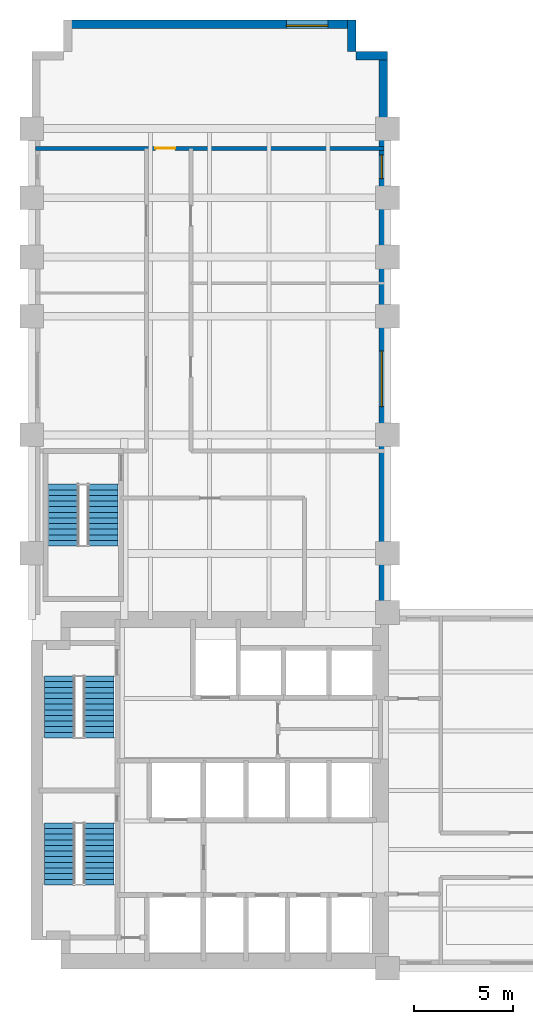
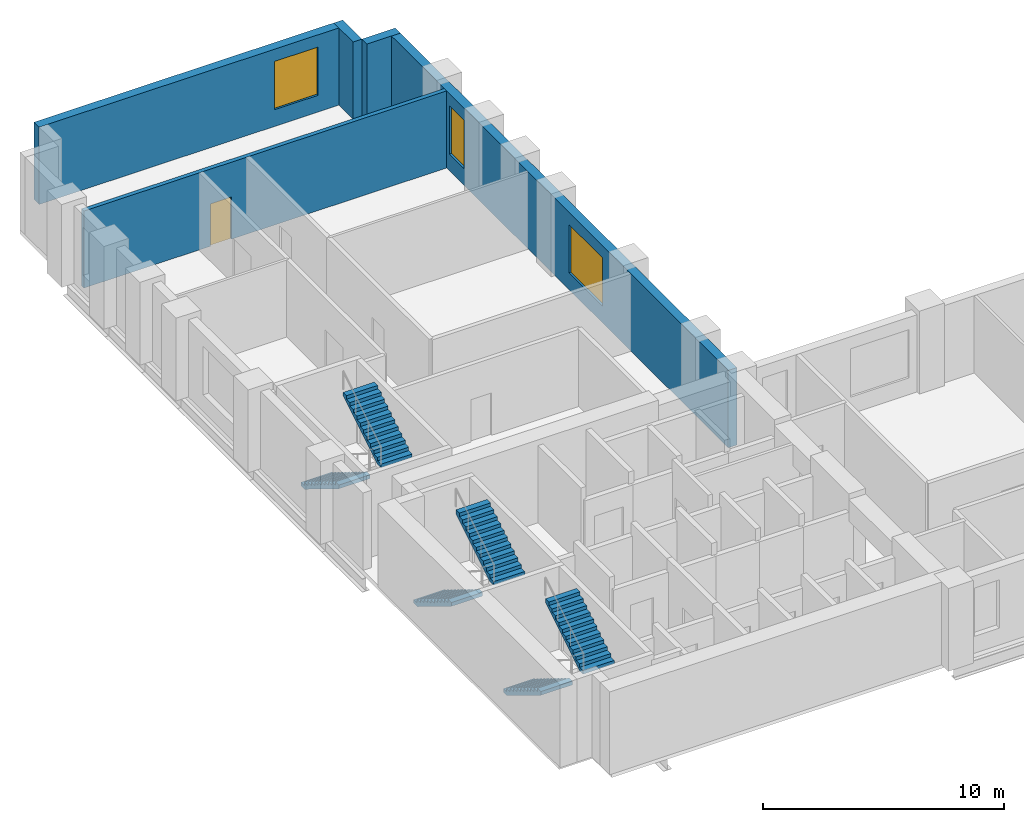
# One storey, part 6 of 7: 6 stair flights, 5 walls, 3 windows, 1 door, 4 openings, 3 elements without a shape of their own.
"""IFC4 building model written with IfcOpenShell, lengths in metres."""

from ifc_helpers import new_model, si_unit, direction, frame, frame_2d, origin, place, context, subcontext, project, spatial, polyline, rectangle, outline, extrude, material, layer, layer_set, type_object, element, fill, aggregate, save


model = new_model("IFC4")

# Units and contexts
model_context = context("Model", 3, precision=1e-05, world=origin(), true_north=direction((0.0, 1.0)))
body_context = subcontext(model_context, "Body", "Model", "MODEL_VIEW")
ifc_project = project(units=[si_unit("LENGTHUNIT", "METRE"), si_unit("AREAUNIT", "SQUARE_METRE"), si_unit("VOLUMEUNIT", "CUBIC_METRE"), si_unit("PLANEANGLEUNIT", "RADIAN"), si_unit("MASSUNIT", "GRAM", prefix="KILO")], contexts=[model_context])

# Site, building, storey
site_placement = place(None, origin())
site = spatial("IfcSite", under=ifc_project, at=site_placement, CompositionType="ELEMENT")
building_placement = place(site_placement, origin())
building = spatial("IfcBuilding", under=site, at=building_placement, Name="Mawjdan Bourse Tower", CompositionType="ELEMENT")
storey_placement = place(building_placement, frame((0.0, 0.0, 80.39990234375)))
storey = spatial("IfcBuildingStorey", under=building, at=storey_placement, Name="L18", CompositionType="ELEMENT", Elevation=80.39990234375)

# Wall, openings, windows
ifc_material_1 = material(Name="Brick Masonry Buff", Category="masonry")
ifc_layer_1 = layer(ifc_material_1, 0.419921875)
ifc_layer_set_1 = layer_set([ifc_layer_1], Name="Brick Masonry Buff")
wall_type_1 = type_object("IfcWallType", Name="WL-BRK-BUFF-420", PredefinedType="STANDARD", material=ifc_layer_set_1)
wall_1_placement = place(storey_placement, frame((23.7900390625, 21.0, 0.0), z_axis=(0.0, 0.0, 1.0), x_axis=(0.0, 1.0, 0.0)))
wall_1 = element("IfcWall", 1, at=wall_1_placement, inside=storey, type_object=wall_type_1, Name="L18 Exterior Brick Wall 8", PredefinedType="STANDARD", context=body_context, shape_type="SweptSolid", body=[
    extrude(rectangle(XDim=28.39990234375, YDim=0.419921875, at=frame_2d((14.199951171875, 0.0))), origin(), (0.0, 0.0, 1.0), 3.920166015625),
])
opening_1_placement = place(wall_1_placement, frame((10.433349609375, 0.0, 0.85009765625)))
opening_1 = element("IfcOpeningElement", 2, at=opening_1_placement, cuts=wall_1, Name="Opening W-L18-03", PredefinedType="OPENING", context=body_context, shape_type="SweptSolid", body=[
    extrude(rectangle(XDim=2.800048828125, YDim=2.449951171875, at=frame_2d((1.39990234375, 1.22509765625))), frame((0.0, 0.219970703125, 0.0), z_axis=(0.0, -1.0, 0.0), x_axis=(1.0, 0.0, 0.0)), (0.0, 0.0, 1.0), 0.43994140625),
])
opening_2_placement = place(wall_1_placement, frame((21.96630859375, 0.0, 0.85009765625)))
opening_2 = element("IfcOpeningElement", 3, at=opening_2_placement, cuts=wall_1, Name="Opening W-L18-16", PredefinedType="OPENING", context=body_context, shape_type="SweptSolid", body=[
    extrude(rectangle(XDim=1.199951171875, YDim=2.449951171875, at=frame_2d((0.60009765625, 1.22509765625))), frame((0.0, 0.219970703125, 0.0), z_axis=(0.0, -1.0, 0.0), x_axis=(1.0, 0.0, 0.0)), (0.0, 0.0, 1.0), 0.43994140625),
])
ifc_material_2 = material(Name="Solar-Control Clear Double Glazing", Category="glass")
window_type_1 = type_object("IfcWindowType", Name="WN-TRD-1200", PartitioningType="SINGLE_PANEL", PredefinedType="WINDOW", material=ifc_material_2)
window_1_placement = place(opening_2_placement, origin())
window_1 = element("IfcWindow", 4, at=window_1_placement, inside=storey, type_object=window_type_1, Name="L18 Deep-Set Masonry Window W-L18-16", OverallHeight=2.449951171875, OverallWidth=1.199951171875, PartitioningType="SINGLE_PANEL", PredefinedType="WINDOW", context=body_context, shape_type="SweptSolid", body=[
    extrude(rectangle(XDim=1.199951171875, YDim=2.449951171875, at=frame_2d((0.60009765625, 1.22509765625))), frame((0.0, 0.110107421875, 0.0), z_axis=(0.0, -1.0, 0.0), x_axis=(1.0, 0.0, 0.0)), (0.0, 0.0, 1.0), 0.06005859375),
])
fill(opening_2, window_1)
window_type_2 = type_object("IfcWindowType", Name="WN-TRD-2800", PartitioningType="SINGLE_PANEL", PredefinedType="WINDOW", material=ifc_material_2)
window_2_placement = place(opening_1_placement, origin())
window_2 = element("IfcWindow", 5, at=window_2_placement, inside=storey, type_object=window_type_2, Name="L18 Deep-Set Masonry Window W-L18-03", OverallHeight=2.449951171875, OverallWidth=2.800048828125, PartitioningType="SINGLE_PANEL", PredefinedType="WINDOW", context=body_context, shape_type="SweptSolid", body=[
    extrude(rectangle(XDim=2.800048828125, YDim=2.449951171875, at=frame_2d((1.39990234375, 1.22509765625))), frame((0.0, 0.110107421875, 0.0), z_axis=(0.0, -1.0, 0.0), x_axis=(1.0, 0.0, 0.0)), (0.0, 0.0, 1.0), 0.06005859375),
])
fill(opening_1, window_2)

# Walls
for number, where, z_axis, x_axis, name in (
    (6, (24.0, 49.18994140625, 0.0), (0.0, 0.0, 1.0), (-1.0, 0.0, 0.0), "L18 Exterior Brick Wall 9"),
    (7, (22.18994140625, 49.39990234375, 0.0), (0.0, 0.0, 1.0), (0.0, 1.0, 0.0), "L18 Exterior Brick Wall 10"),
):
    element("IfcWall", number, at=place(storey_placement, frame(where, z_axis=z_axis, x_axis=x_axis)), inside=storey, type_object=wall_type_1, Name=name, PredefinedType="STANDARD", context=body_context, shape_type="SweptSolid", body=[
        extrude(rectangle(XDim=1.60009765625, YDim=0.419921875, at=frame_2d((0.800048828125, 0.0))), origin(), (0.0, 0.0, 1.0), 3.920166015625),
    ])

# Wall, opening, window
wall_2_placement = place(storey_placement, frame((22.39990234375, 50.7900390625, 0.0), z_axis=(0.0, 0.0, 1.0), x_axis=(-1.0, 0.0, 0.0)))
wall_2 = element("IfcWall", 8, at=wall_2_placement, inside=storey, type_object=wall_type_1, Name="L18 Exterior Brick Wall 11", PredefinedType="STANDARD", context=body_context, shape_type="SweptSolid", body=[
    extrude(rectangle(XDim=14.7998046875, YDim=0.419921875, at=frame_2d((7.39990234375, 0.0))), origin(), (0.0, 0.0, 1.0), 3.920166015625),
])
opening_3_placement = place(wall_2_placement, frame((1.416748046875, 0.0, 0.85009765625)))
opening_3 = element("IfcOpeningElement", 9, at=opening_3_placement, cuts=wall_2, Name="Opening W-L18-04", PredefinedType="OPENING", context=body_context, shape_type="SweptSolid", body=[
    extrude(rectangle(XDim=2.10009765625, YDim=2.449951171875, at=frame_2d((1.050048828125, 1.22509765625))), frame((0.0, 0.219970703125, 0.0), z_axis=(0.0, -1.0, 0.0), x_axis=(1.0, 0.0, 0.0)), (0.0, 0.0, 1.0), 0.43994140625),
])
window_type_3 = type_object("IfcWindowType", Name="WN-TRD-2100", PartitioningType="SINGLE_PANEL", PredefinedType="WINDOW", material=ifc_material_2)
window_3_placement = place(opening_3_placement, origin())
window_3 = element("IfcWindow", 10, at=window_3_placement, inside=storey, type_object=window_type_3, Name="L18 Deep-Set Masonry Window W-L18-04", OverallHeight=2.449951171875, OverallWidth=2.10009765625, PartitioningType="SINGLE_PANEL", PredefinedType="WINDOW", context=body_context, shape_type="SweptSolid", body=[
    extrude(rectangle(XDim=2.10009765625, YDim=2.449951171875, at=frame_2d((1.050048828125, 1.22509765625))), frame((0.0, 0.110107421875, 0.0), z_axis=(0.0, -1.0, 0.0), x_axis=(1.0, 0.0, 0.0)), (0.0, 0.0, 1.0), 0.06005859375),
])
fill(opening_3, window_3)

# Wall, opening, door
ifc_material_3 = material(Name="Gypsum Fireboard Assembly")
ifc_layer_2 = layer(ifc_material_3, 0.199951171875)
ifc_layer_set_2 = layer_set([ifc_layer_2], Name="Gypsum Fireboard Assembly")
wall_type_2 = type_object("IfcWallType", Name="WL-CMP-200", PredefinedType="PARTITIONING", material=ifc_layer_set_2)
wall_3_placement = place(storey_placement, frame((6.179931640625, 44.5, 0.0), z_axis=(0.0, 0.0, 1.0), x_axis=(1.0, 0.0, 0.0)))
wall_3 = element("IfcWall", 11, at=wall_3_placement, inside=storey, type_object=wall_type_2, Name="L18 North Tip Full Cross Wall", PredefinedType="PARTITIONING", context=body_context, shape_type="SweptSolid", body=[
    extrude(rectangle(XDim=17.64013671875, YDim=0.199951171875, at=frame_2d((8.820068359375, 0.0))), origin(), (0.0, 0.0, 1.0), 3.91015625),
])
opening_4_placement = place(wall_3_placement, frame((6.074951171875, 0.0, 0.0)))
opening_4 = element("IfcOpeningElement", 12, at=opening_4_placement, cuts=wall_3, Name="Opening D-L18-32", PredefinedType="OPENING", context=body_context, shape_type="SweptSolid", body=[
    extrude(rectangle(XDim=1.0, YDim=2.14990234375, at=frame_2d((0.5, 1.074951171875))), frame((0.0, 0.10986328125, 0.0), z_axis=(0.0, -1.0, 0.0), x_axis=(1.0, 0.0, 0.0)), (0.0, 0.0, 1.0), 0.219970703125),
])
ifc_material_4 = material(Name="Hardwood Acoustic Leaf", Category="wood")
door_type = type_object("IfcDoorType", Name="DR-OFC-1000", OperationType="NOTDEFINED", PredefinedType="DOOR", material=ifc_material_4)
door_placement = place(opening_4_placement, origin())
door = element("IfcDoor", 13, at=door_placement, inside=storey, type_object=door_type, Name="L18 North Tip Suite Door D-L18-32", OperationType="SINGLE_SWING_RIGHT", OverallHeight=2.14990234375, OverallWidth=1.0, PredefinedType="DOOR", context=body_context, shape_type="SweptSolid", body=[
    extrude(rectangle(XDim=1.0, YDim=2.14990234375, at=frame_2d((0.5, 1.074951171875))), frame((0.0, 0.02490234375, 0.0), z_axis=(0.0, -1.0, 0.0), x_axis=(1.0, 0.0, 0.0)), (0.0, 0.0, 1.0), 0.050048828125),
])
fill(opening_4, door)

# Stair, stair flights
ifc_material_5 = material(Name="Concrete C50/60", Category="concrete")
stair_type = type_object("IfcStairType", Name="STR-CORE-1500", PredefinedType="HALF_TURN_STAIR", material=ifc_material_5)
stair_1_placement = place(storey_placement, origin())
stair_1 = element("IfcStair", 14, at=stair_1_placement, inside=storey, type_object=stair_type, Name="L18 Exit Stair 1 (Core South-West)", PredefinedType="HALF_TURN_STAIR")
stair_flight_type = type_object("IfcStairFlightType", Name="SFL-RC-1500", PredefinedType="STRAIGHT", material=ifc_material_5)
stair_flight_1_placement = place(storey_placement, frame((7.389892578125, 10.35009765625, 0.0), z_axis=(0.0, 0.0, 1.0), x_axis=(0.0, -1.0, 0.0)))
stair_flight_1 = element("IfcStairFlight", 15, at=stair_flight_1_placement, type_object=stair_flight_type, Name="ST1-L18 flight 1", NumberOfRisers=12, NumberOfTreads=11, PredefinedType="STRAIGHT", RiserHeight=0.175, TreadLength=0.285, context=body_context, shape_type="SweptSolid", body=[
    extrude(outline(polyline([(0.0, 0.0), (0.0, 0.175048828125), (0.284912109375, 0.175048828125), (0.284912109375, 0.35009765625), (0.570068359375, 0.35009765625), (0.570068359375, 0.52490234375), (0.85498046875, 0.52490234375), (0.85498046875, 0.699951171875), (1.139892578125, 0.699951171875), (1.139892578125, 0.875), (1.425048828125, 0.875), (1.425048828125, 1.050048828125), (1.7099609375, 1.050048828125), (1.7099609375, 1.22509765625), (1.9951171875, 1.22509765625), (1.9951171875, 1.39990234375), (2.280029296875, 1.39990234375), (2.280029296875, 1.574951171875), (2.56494140625, 1.574951171875), (2.56494140625, 1.75), (2.85009765625, 1.75), (2.85009765625, 1.925048828125), (3.135009765625, 1.925048828125), (3.135009765625, 2.10009765625), (3.135009765625, 1.7373046875), (0.3056640625, 0.0), (0.0, 0.0)])), frame((0.0, 0.75, 0.0), z_axis=(0.0, -1.0, 0.0), x_axis=(1.0, 0.0, 0.0)), (0.0, 0.0, 1.0), 1.5),
])
stair_flight_2_placement = place(storey_placement, frame((9.409912109375, 7.215087890625, 2.10009765625), z_axis=(0.0, 0.0, 1.0), x_axis=(0.0, 1.0, 0.0)))
stair_flight_2 = element("IfcStairFlight", 16, at=stair_flight_2_placement, type_object=stair_flight_type, Name="ST1-L18 flight 2", NumberOfRisers=12, NumberOfTreads=11, PredefinedType="STRAIGHT", RiserHeight=0.175, TreadLength=0.285, context=body_context, shape_type="SweptSolid", body=[
    extrude(outline(polyline([(0.0, 0.0), (0.0, 0.175048828125), (0.284912109375, 0.175048828125), (0.284912109375, 0.35009765625), (0.570068359375, 0.35009765625), (0.570068359375, 0.52490234375), (0.85498046875, 0.52490234375), (0.85498046875, 0.699951171875), (1.139892578125, 0.699951171875), (1.139892578125, 0.875), (1.425048828125, 0.875), (1.425048828125, 1.050048828125), (1.7099609375, 1.050048828125), (1.7099609375, 1.22509765625), (1.9951171875, 1.22509765625), (1.9951171875, 1.39990234375), (2.280029296875, 1.39990234375), (2.280029296875, 1.574951171875), (2.56494140625, 1.574951171875), (2.56494140625, 1.75), (2.85009765625, 1.75), (2.85009765625, 1.925048828125), (3.135009765625, 1.925048828125), (3.135009765625, 2.10009765625), (3.135009765625, 1.7373046875), (0.3056640625, 0.0), (0.0, 0.0)])), frame((0.0, 0.75, 0.0), z_axis=(0.0, -1.0, 0.0), x_axis=(1.0, 0.0, 0.0)), (0.0, 0.0, 1.0), 1.5),
])
aggregate(stair_1, [stair_flight_1, stair_flight_2])

stair_2_placement = place(storey_placement, origin())
stair_2 = element("IfcStair", 17, at=stair_2_placement, inside=storey, type_object=stair_type, Name="L18 Exit Stair 2 (Core North-West)", PredefinedType="HALF_TURN_STAIR")
stair_flight_3_placement = place(storey_placement, frame((7.389892578125, 17.7900390625, 0.0), z_axis=(0.0, 0.0, 1.0), x_axis=(0.0, -1.0, 0.0)))
stair_flight_3 = element("IfcStairFlight", 18, at=stair_flight_3_placement, type_object=stair_flight_type, Name="ST2-L18 flight 1", NumberOfRisers=12, NumberOfTreads=11, PredefinedType="STRAIGHT", RiserHeight=0.175, TreadLength=0.285, context=body_context, shape_type="SweptSolid", body=[
    extrude(outline(polyline([(0.0, 0.0), (0.0, 0.175048828125), (0.284912109375, 0.175048828125), (0.284912109375, 0.35009765625), (0.570068359375, 0.35009765625), (0.570068359375, 0.52490234375), (0.85498046875, 0.52490234375), (0.85498046875, 0.699951171875), (1.139892578125, 0.699951171875), (1.139892578125, 0.875), (1.425048828125, 0.875), (1.425048828125, 1.050048828125), (1.7099609375, 1.050048828125), (1.7099609375, 1.22509765625), (1.9951171875, 1.22509765625), (1.9951171875, 1.39990234375), (2.280029296875, 1.39990234375), (2.280029296875, 1.574951171875), (2.56494140625, 1.574951171875), (2.56494140625, 1.75), (2.85009765625, 1.75), (2.85009765625, 1.925048828125), (3.135009765625, 1.925048828125), (3.135009765625, 2.10009765625), (3.135009765625, 1.7373046875), (0.3056640625, 0.0), (0.0, 0.0)])), frame((0.0, 0.75, 0.0), z_axis=(0.0, -1.0, 0.0), x_axis=(1.0, 0.0, 0.0)), (0.0, 0.0, 1.0), 1.5),
])
stair_flight_4_placement = place(storey_placement, frame((9.409912109375, 14.655029296875, 2.10009765625), z_axis=(0.0, 0.0, 1.0), x_axis=(0.0, 1.0, 0.0)))
stair_flight_4 = element("IfcStairFlight", 19, at=stair_flight_4_placement, type_object=stair_flight_type, Name="ST2-L18 flight 2", NumberOfRisers=12, NumberOfTreads=11, PredefinedType="STRAIGHT", RiserHeight=0.175, TreadLength=0.285, context=body_context, shape_type="SweptSolid", body=[
    extrude(outline(polyline([(0.0, 0.0), (0.0, 0.175048828125), (0.284912109375, 0.175048828125), (0.284912109375, 0.35009765625), (0.570068359375, 0.35009765625), (0.570068359375, 0.52490234375), (0.85498046875, 0.52490234375), (0.85498046875, 0.699951171875), (1.139892578125, 0.699951171875), (1.139892578125, 0.875), (1.425048828125, 0.875), (1.425048828125, 1.050048828125), (1.7099609375, 1.050048828125), (1.7099609375, 1.22509765625), (1.9951171875, 1.22509765625), (1.9951171875, 1.39990234375), (2.280029296875, 1.39990234375), (2.280029296875, 1.574951171875), (2.56494140625, 1.574951171875), (2.56494140625, 1.75), (2.85009765625, 1.75), (2.85009765625, 1.925048828125), (3.135009765625, 1.925048828125), (3.135009765625, 2.10009765625), (3.135009765625, 1.7373046875), (0.3056640625, 0.0), (0.0, 0.0)])), frame((0.0, 0.75, 0.0), z_axis=(0.0, -1.0, 0.0), x_axis=(1.0, 0.0, 0.0)), (0.0, 0.0, 1.0), 1.5),
])
aggregate(stair_2, [stair_flight_3, stair_flight_4])

stair_3_placement = place(storey_placement, origin())
stair_3 = element("IfcStair", 20, at=stair_3_placement, inside=storey, type_object=stair_type, Name="L18 Exit Stair 3 (North Wing)", PredefinedType="HALF_TURN_STAIR")
stair_flight_5_placement = place(storey_placement, frame((7.590087890625, 27.5, 0.0), z_axis=(0.0, 0.0, 1.0), x_axis=(0.0, -1.0, 0.0)))
stair_flight_5 = element("IfcStairFlight", 21, at=stair_flight_5_placement, type_object=stair_flight_type, Name="ST3-L18 flight 1", NumberOfRisers=12, NumberOfTreads=11, PredefinedType="STRAIGHT", RiserHeight=0.175, TreadLength=0.285, context=body_context, shape_type="SweptSolid", body=[
    extrude(outline(polyline([(0.0, 0.0), (0.0, 0.175048828125), (0.284912109375, 0.175048828125), (0.284912109375, 0.35009765625), (0.570068359375, 0.35009765625), (0.570068359375, 0.52490234375), (0.85498046875, 0.52490234375), (0.85498046875, 0.699951171875), (1.139892578125, 0.699951171875), (1.139892578125, 0.875), (1.425048828125, 0.875), (1.425048828125, 1.050048828125), (1.7099609375, 1.050048828125), (1.7099609375, 1.22509765625), (1.9951171875, 1.22509765625), (1.9951171875, 1.39990234375), (2.280029296875, 1.39990234375), (2.280029296875, 1.574951171875), (2.56494140625, 1.574951171875), (2.56494140625, 1.75), (2.85009765625, 1.75), (2.85009765625, 1.925048828125), (3.135009765625, 1.925048828125), (3.135009765625, 2.10009765625), (3.135009765625, 1.7373046875), (0.3056640625, 0.0), (0.0, 0.0)])), frame((0.0, 0.75, 0.0), z_axis=(0.0, -1.0, 0.0), x_axis=(1.0, 0.0, 0.0)), (0.0, 0.0, 1.0), 1.5),
])
stair_flight_6_placement = place(storey_placement, frame((9.610107421875, 24.364990234375, 2.10009765625), z_axis=(0.0, 0.0, 1.0), x_axis=(0.0, 1.0, 0.0)))
stair_flight_6 = element("IfcStairFlight", 22, at=stair_flight_6_placement, type_object=stair_flight_type, Name="ST3-L18 flight 2", NumberOfRisers=12, NumberOfTreads=11, PredefinedType="STRAIGHT", RiserHeight=0.175, TreadLength=0.285, context=body_context, shape_type="SweptSolid", body=[
    extrude(outline(polyline([(0.0, 0.0), (0.0, 0.175048828125), (0.284912109375, 0.175048828125), (0.284912109375, 0.35009765625), (0.570068359375, 0.35009765625), (0.570068359375, 0.52490234375), (0.85498046875, 0.52490234375), (0.85498046875, 0.699951171875), (1.139892578125, 0.699951171875), (1.139892578125, 0.875), (1.425048828125, 0.875), (1.425048828125, 1.050048828125), (1.7099609375, 1.050048828125), (1.7099609375, 1.22509765625), (1.9951171875, 1.22509765625), (1.9951171875, 1.39990234375), (2.280029296875, 1.39990234375), (2.280029296875, 1.574951171875), (2.56494140625, 1.574951171875), (2.56494140625, 1.75), (2.85009765625, 1.75), (2.85009765625, 1.925048828125), (3.135009765625, 1.925048828125), (3.135009765625, 2.10009765625), (3.135009765625, 1.7373046875), (0.3056640625, 0.0), (0.0, 0.0)])), frame((0.0, 0.75, 0.0), z_axis=(0.0, -1.0, 0.0), x_axis=(1.0, 0.0, 0.0)), (0.0, 0.0, 1.0), 1.5),
])
aggregate(stair_3, [stair_flight_5, stair_flight_6])

save(model, "model.ifc")
